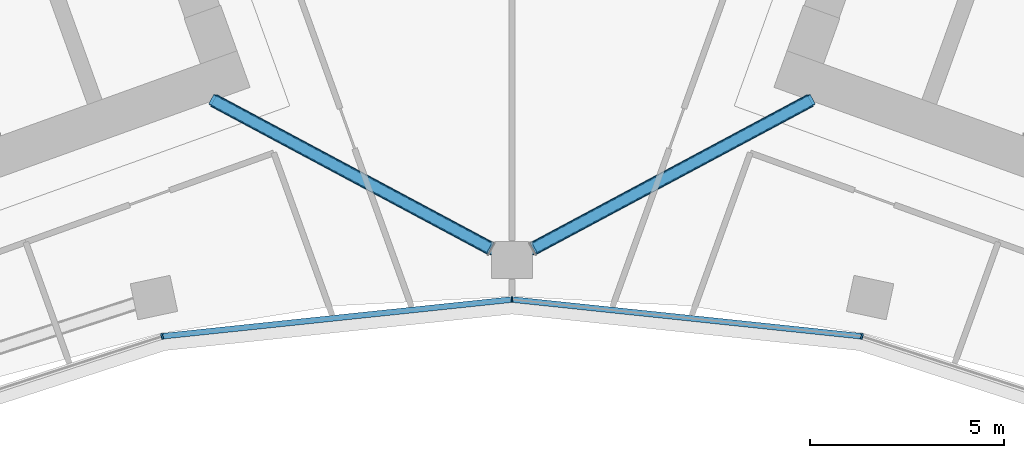
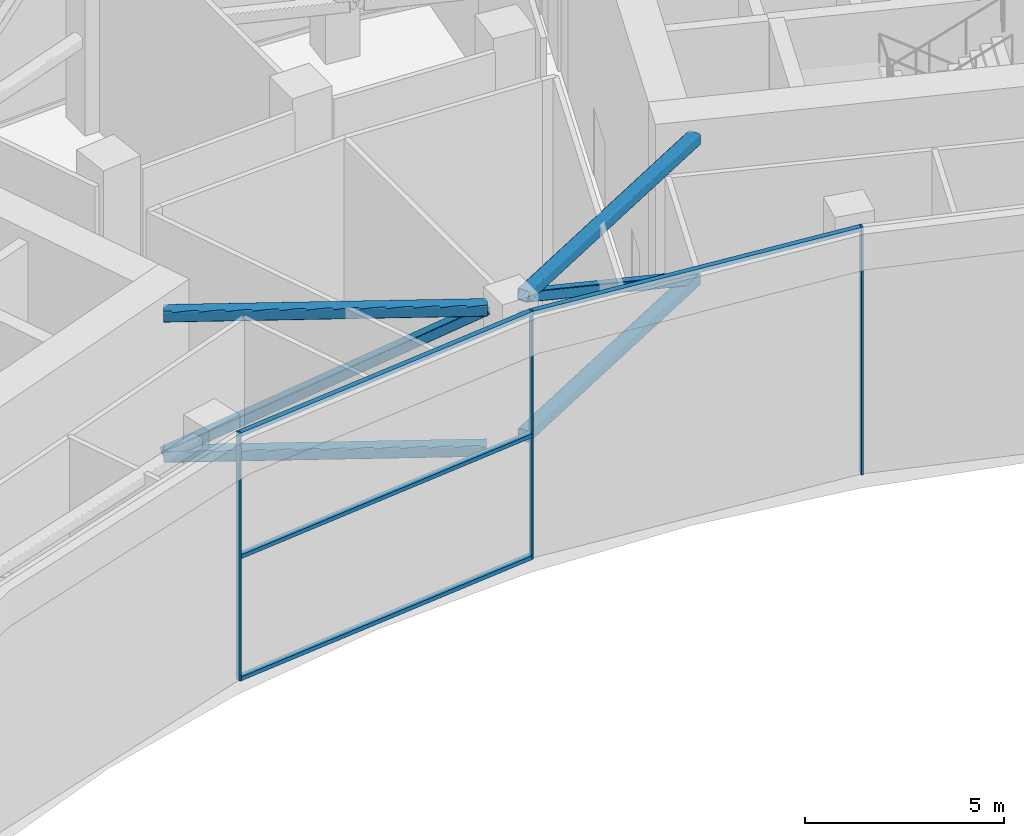
# One storey, part 6 of 26: 13 members, 1 element without a shape of its own.
"""IFC4 building model written with IfcOpenShell, lengths in metres."""

from ifc_helpers import new_model, si_unit, direction, frame, origin, origin_2d, place, context, subcontext, project, spatial, rectangle, hollow_rectangle, extrude, material, layer, layer_set, material_profile, profile_set, type_object, element, aggregate, save


model = new_model("IFC4")

# Units and contexts
model_context = context("Model", 3, precision=1e-05, world=origin(), true_north=direction((0.0, 1.0)))
body_context = subcontext(model_context, "Body", "Model", "MODEL_VIEW")
ifc_project = project(units=[si_unit("LENGTHUNIT", "METRE"), si_unit("AREAUNIT", "SQUARE_METRE"), si_unit("VOLUMEUNIT", "CUBIC_METRE"), si_unit("PLANEANGLEUNIT", "RADIAN"), si_unit("MASSUNIT", "GRAM", prefix="KILO")], contexts=[model_context])

# Site, building, storey
site_placement = place(None, origin())
site = spatial("IfcSite", under=ifc_project, at=site_placement, CompositionType="ELEMENT")
building_placement = place(site_placement, origin())
building = spatial("IfcBuilding", under=site, at=building_placement, Name="Stone Belt Terrace Tower", CompositionType="ELEMENT")
storey_placement = place(building_placement, frame((0.0, 0.0, 250.39990234375)))
storey = spatial("IfcBuildingStorey", under=building, at=storey_placement, Name="L61", CompositionType="ELEMENT", Elevation=250.39990234375)

# Curtain wall, members
ifc_material_1 = material(Name="Aluminium 6063-T6 anodised frame", Category="aluminium")
ifc_layer = layer(ifc_material_1, 0.14990234375)
ifc_layer_set = layer_set([ifc_layer], Name="CW-B unitised concave-face curtain wall")
curtain_wall_type = type_object("IfcCurtainWallType", Name="CW-B unitised concave-face curtain wall", PredefinedType="NOTDEFINED", material=ifc_layer_set)
curtain_wall_placement = place(storey_placement, origin())
curtain_wall = element("IfcCurtainWall", 1, at=curtain_wall_placement, inside=storey, type_object=curtain_wall_type, Name="CW-B concave face L61", PredefinedType="NOTDEFINED")
ifc_material_profile_1 = material_profile(ifc_material_1, rectangle(XDim=0.14990234375, YDim=0.050048828125, at=origin_2d()), Name="Aluminium 6063-T6 50x150")
ifc_profile_set_1 = profile_set([ifc_material_profile_1], Name="Aluminium 6063-T6 anodised frame")
member_type_1 = type_object("IfcMemberType", Name="CW-B mullion 50 x 150", PredefinedType="MULLION", material=ifc_profile_set_1)
member_1_placement = place(storey_placement, frame((-9.028564453125, 42.4755859375, 0.0), z_axis=(0.0, 0.0, 1.0), x_axis=(-0.207911690818, 0.978147600734, 0.0)))
member_1 = element("IfcMember", 2, at=member_1_placement, type_object=member_type_1, Name="CW-B mullion 4", PredefinedType="MULLION", context=body_context, shape_type="SweptSolid", body=[
    extrude(rectangle(XDim=0.14990234375, YDim=0.050048828125, at=origin_2d()), origin(), (0.0, 0.0, 1.0), 7.60009765625),
])
member_2_placement = place(storey_placement, frame((0.0, 43.424560546875, 0.0), z_axis=(0.0, 0.0, 1.0), x_axis=(0.0, 1.0, 0.0)))
member_2 = element("IfcMember", 3, at=member_2_placement, type_object=member_type_1, Name="CW-B mullion 5", PredefinedType="MULLION", context=body_context, shape_type="SweptSolid", body=[
    extrude(rectangle(XDim=0.14990234375, YDim=0.050048828125, at=origin_2d()), origin(), (0.0, 0.0, 1.0), 7.60009765625),
])
member_3_placement = place(storey_placement, frame((9.028564453125, 42.4755859375, 0.0), z_axis=(0.0, 0.0, 1.0), x_axis=(0.207911690818, 0.978147600734, 0.0)))
member_3 = element("IfcMember", 4, at=member_3_placement, type_object=member_type_1, Name="CW-B mullion 6", PredefinedType="MULLION", context=body_context, shape_type="SweptSolid", body=[
    extrude(rectangle(XDim=0.14990234375, YDim=0.050048828125, at=origin_2d()), origin(), (0.0, 0.0, 1.0), 7.60009765625),
])
ifc_material_profile_2 = material_profile(ifc_material_1, rectangle(XDim=0.14990234375, YDim=0.1201171875, at=origin_2d()), Name="Aluminium 6063-T6 150x120")
ifc_profile_set_2 = profile_set([ifc_material_profile_2], Name="Aluminium 6063-T6 anodised frame")
member_type_2 = type_object("IfcMemberType", Name="CW-B transom 120 x 150", PredefinedType="USERDEFINED", material=ifc_profile_set_2)
member_4_placement = place(storey_placement, frame((-8.995849609375, 42.47900390625, 0.06005859375), z_axis=(0.994521323407, 0.104533904969, 0.0), x_axis=(-0.104533904969, 0.994521323407, 0.0)))
member_4 = element("IfcMember", 5, at=member_4_placement, type_object=member_type_2, Name="CW-B transom 4.1", ObjectType="TRANSOM", PredefinedType="USERDEFINED", context=body_context, shape_type="SweptSolid", body=[
    extrude(rectangle(XDim=0.14990234375, YDim=0.1201171875, at=origin_2d()), origin(), (0.0, 0.0, 1.0), 9.0126953125),
])
member_5_placement = place(storey_placement, frame((-8.995849609375, 42.47900390625, 3.800048828125), z_axis=(0.994521323407, 0.104533904969, 0.0), x_axis=(-0.104533904969, 0.994521323407, 0.0)))
member_5 = element("IfcMember", 6, at=member_5_placement, type_object=member_type_2, Name="CW-B transom 4.2", ObjectType="TRANSOM", PredefinedType="USERDEFINED", context=body_context, shape_type="SweptSolid", body=[
    extrude(rectangle(XDim=0.14990234375, YDim=0.1201171875, at=origin_2d()), origin(), (0.0, 0.0, 1.0), 9.0126953125),
])
member_6_placement = place(storey_placement, frame((-8.995849609375, 42.47900390625, 7.5400390625), z_axis=(0.994521323407, 0.104533904969, 0.0), x_axis=(-0.104533904969, 0.994521323407, 0.0)))
member_6 = element("IfcMember", 7, at=member_6_placement, type_object=member_type_2, Name="CW-B transom 4.3", ObjectType="TRANSOM", PredefinedType="USERDEFINED", context=body_context, shape_type="SweptSolid", body=[
    extrude(rectangle(XDim=0.14990234375, YDim=0.1201171875, at=origin_2d()), origin(), (0.0, 0.0, 1.0), 9.0126953125),
])
member_7_placement = place(storey_placement, frame((0.032470703125, 43.421142578125, 7.5400390625), z_axis=(0.994521323407, -0.104533904969, 0.0), x_axis=(0.104533904969, 0.994521323407, 0.0)))
member_7 = element("IfcMember", 8, at=member_7_placement, type_object=member_type_2, Name="CW-B transom 5.1", ObjectType="TRANSOM", PredefinedType="USERDEFINED", context=body_context, shape_type="SweptSolid", body=[
    extrude(rectangle(XDim=0.14990234375, YDim=0.1201171875, at=origin_2d()), origin(), (0.0, 0.0, 1.0), 9.0126953125),
])
aggregate(curtain_wall, [member_1, member_2, member_3, member_4, member_5, member_6, member_7])

# Members
ifc_material_2 = material(Name="Structural steel C345", Category="steel")
ifc_material_profile_3 = material_profile(ifc_material_2, hollow_rectangle(XDim=0.35009765625, YDim=0.35009765625, WallThickness=0.01611328125, InnerFilletRadius=0.031982421875, OuterFilletRadius=0.048095703125, at=origin_2d()), Name="SHS 350x350x16")
ifc_profile_set_3 = profile_set([ifc_material_profile_3], Name="Structural steel C345")
member_type_3 = type_object("IfcMemberType", Name="Outrigger chord SHS 350x350x16", PredefinedType="CHORD", material=ifc_profile_set_3)
member_8_placement = place(storey_placement, frame((-0.52490234375, 44.7255859375, 7.0751953125), z_axis=(-0.881835719701, 0.471556744687, 0.0), x_axis=(-0.471556744687, -0.881835719701, 0.0)))
element("IfcMember", 9, at=member_8_placement, inside=storey, type_object=member_type_3, Name="Outrigger T4 coreA-mid-P top chord 1", PredefinedType="CHORD", context=body_context, shape_type="SweptSolid", body=[
    extrude(hollow_rectangle(XDim=0.35009765625, YDim=0.35009765625, WallThickness=0.01611328125, InnerFilletRadius=0.031982421875, OuterFilletRadius=0.048095703125, at=origin_2d()), origin(), (0.0, 0.0, 1.0), 8.1357421875),
])
member_9_placement = place(storey_placement, frame((-0.54248046875, 44.735107421875, 2.775146484375), z_axis=(-0.881841954328, 0.471545085423, 0.0), x_axis=(-0.471545085423, -0.881841954328, 0.0)))
element("IfcMember", 10, at=member_9_placement, inside=storey, type_object=member_type_3, Name="Outrigger T4 coreA-mid-P bot chord 1", PredefinedType="CHORD", context=body_context, shape_type="SweptSolid", body=[
    extrude(hollow_rectangle(XDim=0.35009765625, YDim=0.35009765625, WallThickness=0.01611328125, InnerFilletRadius=0.031982421875, OuterFilletRadius=0.048095703125, at=origin_2d()), origin(), (0.0, 0.0, 1.0), 8.11572265625),
])
member_10_placement = place(storey_placement, frame((0.52490234375, 44.7255859375, 7.0751953125), z_axis=(0.881835719701, 0.471556744687, 0.0), x_axis=(-0.471556744687, 0.881835719701, 0.0)))
element("IfcMember", 11, at=member_10_placement, inside=storey, type_object=member_type_3, Name="Outrigger T4 coreB-mid-P top chord 1", PredefinedType="CHORD", context=body_context, shape_type="SweptSolid", body=[
    extrude(hollow_rectangle(XDim=0.35009765625, YDim=0.35009765625, WallThickness=0.01611328125, InnerFilletRadius=0.031982421875, OuterFilletRadius=0.048095703125, at=origin_2d()), origin(), (0.0, 0.0, 1.0), 8.1357421875),
])
member_11_placement = place(storey_placement, frame((0.54248046875, 44.735107421875, 2.775146484375), z_axis=(0.881841954328, 0.471545085423, 0.0), x_axis=(-0.471545085423, 0.881841954328, 0.0)))
element("IfcMember", 12, at=member_11_placement, inside=storey, type_object=member_type_3, Name="Outrigger T4 coreB-mid-P bot chord 1", PredefinedType="CHORD", context=body_context, shape_type="SweptSolid", body=[
    extrude(hollow_rectangle(XDim=0.35009765625, YDim=0.35009765625, WallThickness=0.01611328125, InnerFilletRadius=0.031982421875, OuterFilletRadius=0.048095703125, at=origin_2d()), origin(), (0.0, 0.0, 1.0), 8.11572265625),
])
ifc_material_profile_4 = material_profile(ifc_material_2, hollow_rectangle(XDim=0.300048828125, YDim=0.300048828125, WallThickness=0.011962890625, InnerFilletRadius=0.02392578125, OuterFilletRadius=0.035888671875, at=origin_2d()), Name="SHS 300x300x12")
ifc_profile_set_4 = profile_set([ifc_material_profile_4], Name="Structural steel C345")
member_type_4 = type_object("IfcMemberType", Name="Outrigger diagonal SHS 300x300x12", PredefinedType="BRACE", material=ifc_profile_set_4)
for number, where, z_axis, x_axis, name in (
    (13, (-0.52490234375, 44.7255859375, 7.0751953125), (-0.779635567709, 0.416905782038, -0.467287866809), (-0.471556744687, -0.881835719701, 0.0), "Outrigger T4 coreA-mid-P diagonal 1"),
    (14, (0.52490234375, 44.7255859375, 7.0751953125), (0.779635567709, 0.416905782038, -0.467287866809), (-0.471556744687, 0.881835719701, 0.0), "Outrigger T4 coreB-mid-P diagonal 1"),
):
    element("IfcMember", number, at=place(storey_placement, frame(where, z_axis=z_axis, x_axis=x_axis)), inside=storey, type_object=member_type_4, Name=name, PredefinedType="BRACE", context=body_context, shape_type="SweptSolid", body=[
        extrude(hollow_rectangle(XDim=0.300048828125, YDim=0.300048828125, WallThickness=0.011962890625, InnerFilletRadius=0.02392578125, OuterFilletRadius=0.035888671875, at=origin_2d()), origin(), (0.0, 0.0, 1.0), 9.2021484375),
    ])

save(model, "model.ifc")
